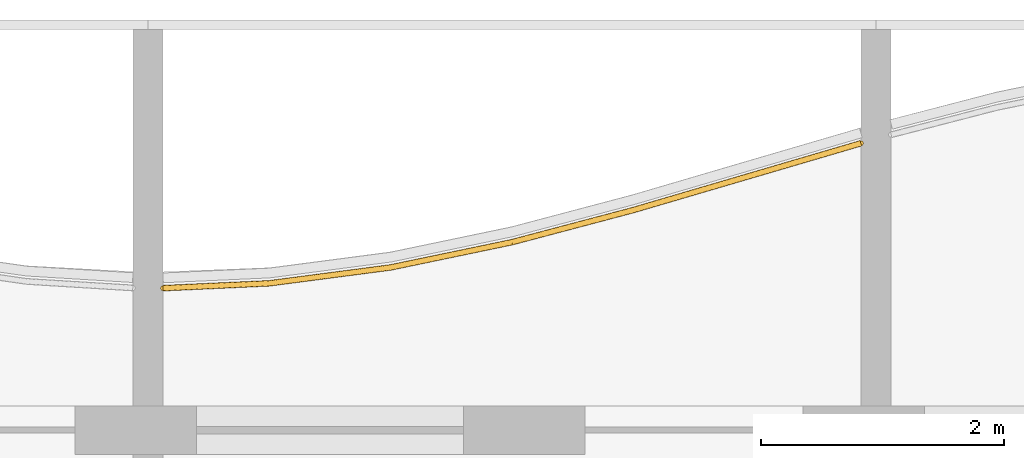
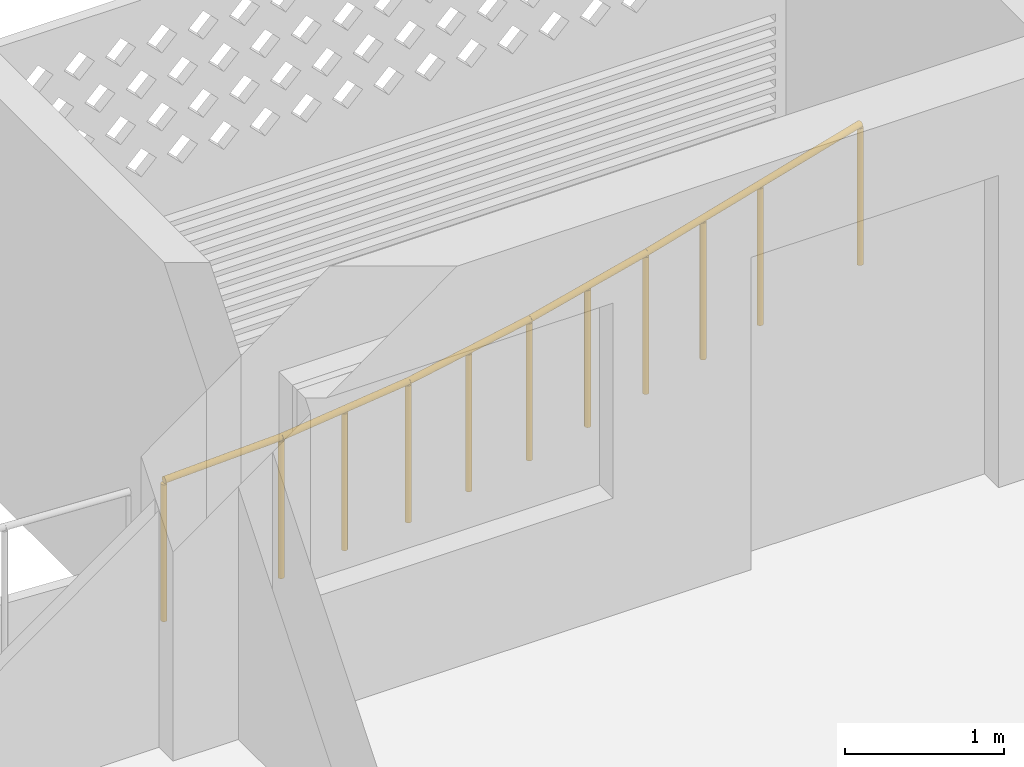
# One storey, part 23 of 26: 1 railing.
"""IFC4 building model written with IfcOpenShell, lengths in metres."""

from ifc_helpers import new_model, si_unit, direction, frame, origin, origin_2d, place, context, subcontext, project, spatial, circle, extrude, material, type_object, element, save


model = new_model("IFC4")

# Units and contexts
model_context = context("Model", 3, precision=1e-05, world=origin(), true_north=direction((0.0, 1.0)))
body_context = subcontext(model_context, "Body", "Model", "MODEL_VIEW")
ifc_project = project(units=[si_unit("LENGTHUNIT", "METRE"), si_unit("AREAUNIT", "SQUARE_METRE"), si_unit("VOLUMEUNIT", "CUBIC_METRE"), si_unit("PLANEANGLEUNIT", "RADIAN"), si_unit("MASSUNIT", "GRAM", prefix="KILO")], contexts=[model_context])

# Site, building, storey
site_placement = place(None, origin())
site = spatial("IfcSite", under=ifc_project, at=site_placement, CompositionType="ELEMENT")
building_placement = place(site_placement, origin())
building = spatial("IfcBuilding", under=site, at=building_placement, Name="Poui Terraces", CompositionType="ELEMENT")
storey_placement = place(building_placement, frame((0.0, 0.0, 244.5)))
storey = spatial("IfcBuildingStorey", under=building, at=storey_placement, Name="L68", CompositionType="ELEMENT", Elevation=244.5)

# Railing
ifc_material = material(Name="Painted steel fretwork", Category="steel")
railing_type = type_object("IfcRailingType", Name="BALCONY GUARD 1100", PredefinedType="GUARDRAIL", material=ifc_material)
railing_placement = place(storey_placement, frame((66.125, 42.3701171875, 0.0)))
element("IfcRailing", 1, at=railing_placement, inside=storey, type_object=railing_type, Name="BALCONY GUARD", PredefinedType="GUARDRAIL", context=body_context, shape_type="SweptSolid", body=[
    extrude(circle(Radius=0.02392578125, at=origin_2d()), frame((0.0, 0.0, 1.076171875), z_axis=(0.998954701489, 0.045711096832, 0.0), x_axis=(-0.045711096832, 0.998954701489, 0.0)), (0.0, 0.0, 1.0), 0.8759765625),
    extrude(circle(Radius=0.02392578125, at=origin_2d()), frame((0.875, 0.0400390625, 1.076171875), z_axis=(0.991546329967, 0.129753133023, 0.0), x_axis=(-0.129753133023, 0.991546329967, 0.0)), (0.0, 0.0, 1.0), 1.008544921875),
    extrude(circle(Radius=0.02392578125, at=origin_2d()), frame((1.875, 0.1708984375, 1.076171875), z_axis=(0.978996324432, 0.203877896665, 0.0), x_axis=(-0.203877896665, 0.978996324432, 0.0)), (0.0, 0.0, 1.0), 1.021484375),
    extrude(circle(Radius=0.02392578125, at=origin_2d()), frame((2.875, 0.379150390625, 1.076171875), z_axis=(0.966718963822, 0.255840663277, 0.0), x_axis=(-0.255840663277, 0.966718963822, 0.0)), (0.0, 0.0, 1.0), 1.034423828125),
    extrude(circle(Radius=0.02392578125, at=origin_2d()), frame((3.875, 0.643798828125, 1.076171875), z_axis=(0.959536917318, 0.281582855131, 0.0), x_axis=(-0.281582855131, 0.959536917318, 0.0)), (0.0, 0.0, 1.0), 1.042236328125),
    extrude(circle(Radius=0.02392578125, at=origin_2d()), frame((4.875, 0.937255859375, 1.076171875), z_axis=(0.959518831385, 0.281644478409, 0.0), x_axis=(-0.281644478409, 0.959518831385, 0.0)), (0.0, 0.0, 1.0), 0.911865234375),
    extrude(circle(Radius=0.02099609375, at=origin_2d()), origin(), (0.0, 0.0, 1.0), 1.052001953125),
    extrude(circle(Radius=0.02099609375, at=origin_2d()), frame((0.875, 0.0400390625, 0.0)), (0.0, 0.0, 1.0), 1.052001953125),
    extrude(circle(Radius=0.02099609375, at=origin_2d()), frame((1.375, 0.10546875, 0.0)), (0.0, 0.0, 1.0), 1.052001953125),
    extrude(circle(Radius=0.02099609375, at=origin_2d()), frame((1.875, 0.1708984375, 0.0)), (0.0, 0.0, 1.0), 1.052001953125),
    extrude(circle(Radius=0.02099609375, at=origin_2d()), frame((2.375, 0.27490234375, 0.0)), (0.0, 0.0, 1.0), 1.052001953125),
    extrude(circle(Radius=0.02099609375, at=origin_2d()), frame((2.875, 0.379150390625, 0.0)), (0.0, 0.0, 1.0), 1.052001953125),
    extrude(circle(Radius=0.02099609375, at=origin_2d()), frame((3.375, 0.511474609375, 0.0)), (0.0, 0.0, 1.0), 1.052001953125),
    extrude(circle(Radius=0.02099609375, at=origin_2d()), frame((3.875, 0.643798828125, 0.0)), (0.0, 0.0, 1.0), 1.052001953125),
    extrude(circle(Radius=0.02099609375, at=origin_2d()), frame((4.375, 0.79052734375, 0.0)), (0.0, 0.0, 1.0), 1.052001953125),
    extrude(circle(Radius=0.02099609375, at=origin_2d()), frame((4.875, 0.937255859375, 0.0)), (0.0, 0.0, 1.0), 1.052001953125),
    extrude(circle(Radius=0.02099609375, at=origin_2d()), frame((5.75, 1.194091796875, 0.0)), (0.0, 0.0, 1.0), 1.052001953125),
])

save(model, "model.ifc")
